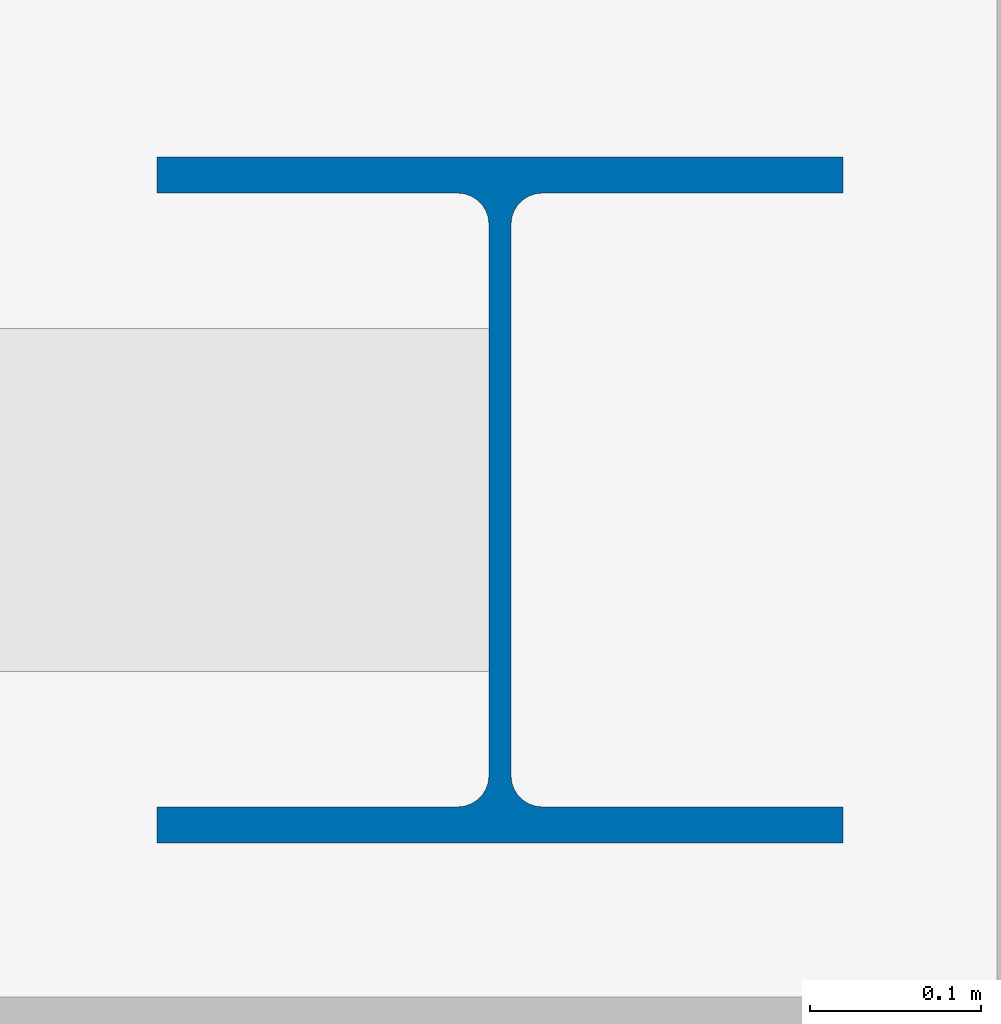
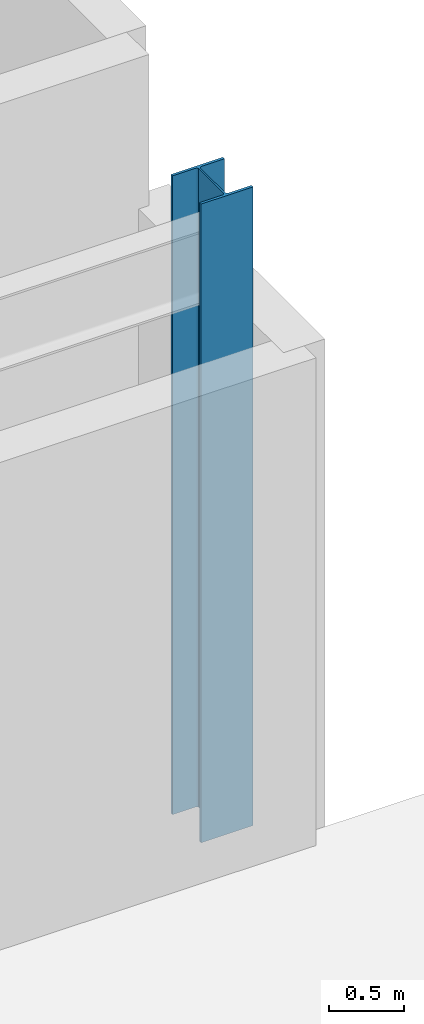
# One storey, part 2 of 19: 1 column.
"""IFC4 building model written with IfcOpenShell, lengths in metres."""

from ifc_helpers import new_model, si_unit, direction, frame, origin, origin_2d, place, context, subcontext, project, spatial, i_section, extrude, material, material_profile, profile_set, type_object, element, save


model = new_model("IFC4")

# Units and contexts
model_context = context("Model", 3, precision=1e-05, world=origin(), true_north=direction((0.0, 1.0)))
body_context = subcontext(model_context, "Body", "Model", "MODEL_VIEW")
ifc_project = project(units=[si_unit("LENGTHUNIT", "METRE"), si_unit("AREAUNIT", "SQUARE_METRE"), si_unit("VOLUMEUNIT", "CUBIC_METRE"), si_unit("PLANEANGLEUNIT", "RADIAN"), si_unit("MASSUNIT", "GRAM", prefix="KILO")], contexts=[model_context])

# Site, building, storey
site_placement = place(None, origin())
site = spatial("IfcSite", under=ifc_project, at=site_placement, CompositionType="ELEMENT")
building_placement = place(site_placement, origin())
building = spatial("IfcBuilding", under=site, at=building_placement, Name="Veldorina Hangang Commons", CompositionType="ELEMENT")
storey_placement = place(building_placement, origin())
storey = spatial("IfcBuildingStorey", under=building, at=storey_placement, Name="L00", CompositionType="ELEMENT", Elevation=0.0)

# Column
ifc_material = material(Name="Steel SM460-TMC", Category="steel")
ifc_material_profile = material_profile(ifc_material, i_section(OverallWidth=0.39990234375, OverallDepth=0.39990234375, WebThickness=0.012939453125, FlangeThickness=0.02099609375, FilletRadius=0.01806640625, at=origin_2d()), Name="H-400x400x13x21")
ifc_profile_set = profile_set([ifc_material_profile], Name="Steel SM460-TMC")
column_type = type_object("IfcColumnType", Name="COL-H400", PredefinedType="COLUMN", material=ifc_profile_set)
column_placement = place(storey_placement, frame((59.550048828125, 3.449951171875, 0.0), z_axis=(0.0, 0.0, 1.0), x_axis=(1.0, 0.0, 0.0)))
element("IfcColumn", 1, at=column_placement, inside=storey, type_object=column_type, Name="L00 structural column S7", PredefinedType="COLUMN", context=body_context, shape_type="SweptSolid", body=[
    extrude(i_section(OverallWidth=0.39990234375, OverallDepth=0.39990234375, WebThickness=0.012939453125, FlangeThickness=0.02099609375, FilletRadius=0.01806640625, at=origin_2d()), origin(), (0.0, 0.0, 1.0), 5.199951171875),
])

save(model, "model.ifc")
